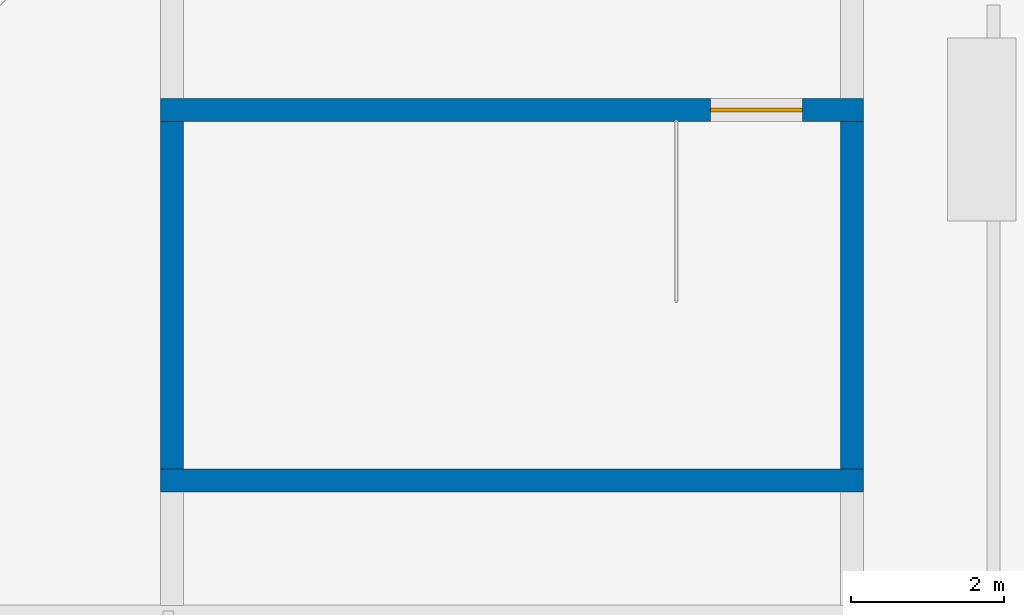
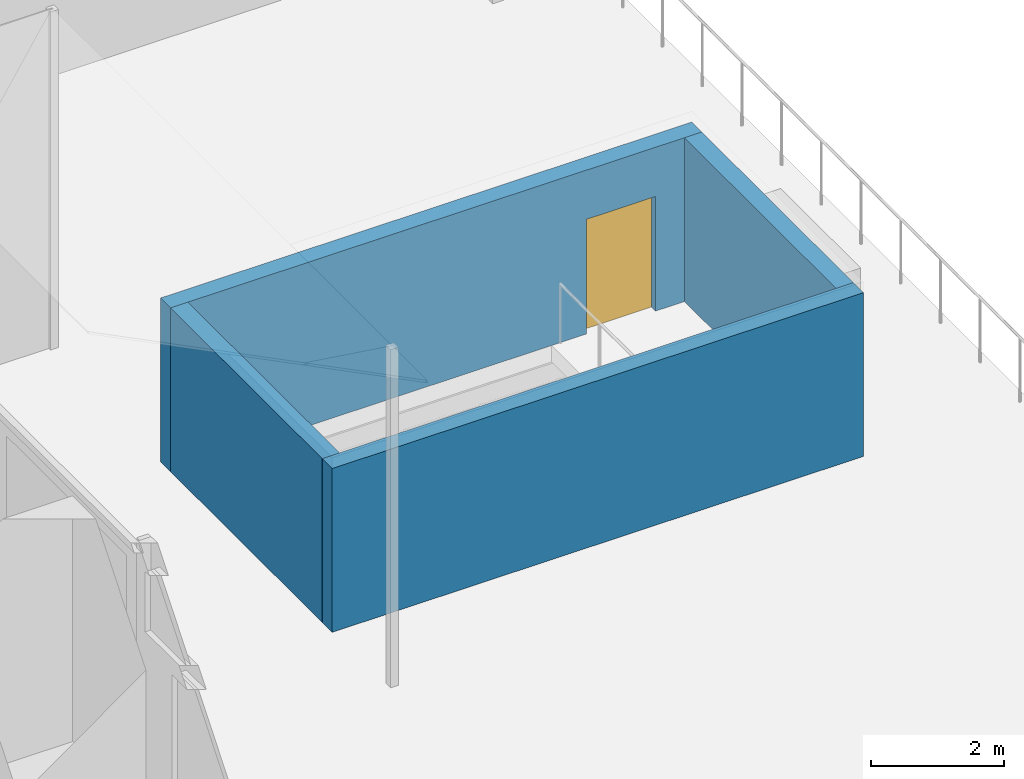
# One storey, part 29 of 60: 4 walls, 1 door, 1 opening.
"""IFC4 building model written with IfcOpenShell, lengths in metres."""

from ifc_helpers import new_model, si_unit, direction, frame, frame_2d, origin, place, context, subcontext, project, spatial, rectangle, extrude, material, layer, layer_set, type_object, element, fill, save


model = new_model("IFC4")

# Units and contexts
model_context = context("Model", 3, precision=1e-05, world=origin(), true_north=direction((0.0, 1.0)))
body_context = subcontext(model_context, "Body", "Model", "MODEL_VIEW")
ifc_project = project(units=[si_unit("LENGTHUNIT", "METRE"), si_unit("AREAUNIT", "SQUARE_METRE"), si_unit("VOLUMEUNIT", "CUBIC_METRE"), si_unit("PLANEANGLEUNIT", "RADIAN"), si_unit("MASSUNIT", "GRAM", prefix="KILO")], contexts=[model_context])

# Site, building, storey
site_placement = place(None, origin())
site = spatial("IfcSite", under=ifc_project, at=site_placement, CompositionType="ELEMENT")
building_placement = place(site_placement, origin())
building = spatial("IfcBuilding", under=site, at=building_placement, Name="Saffron Gate Tower", CompositionType="ELEMENT")
storey_placement = place(building_placement, frame((0.0, 0.0, 19.199951171875)))
storey = spatial("IfcBuildingStorey", under=building, at=storey_placement, Name="L03", CompositionType="ELEMENT", Elevation=19.199951171875)

# Walls
ifc_material_1 = material(Name="Concrete C70", Category="concrete")
ifc_layer = layer(ifc_material_1, 0.300048828125)
ifc_layer_set = layer_set([ifc_layer], Name="CW5 RC core wall 300 C70")
wall_type = type_object("IfcWallType", Name="CW5 RC core wall 300 C70", PredefinedType="SOLIDWALL", material=ifc_layer_set)
wall_1_placement = place(storey_placement, frame((131.300048828125, 67.175048828125, 0.0), z_axis=(0.0, 0.0, 1.0), x_axis=(1.0, 0.0, 0.0)))
element("IfcWall", 1, at=wall_1_placement, inside=storey, type_object=wall_type, Name="Wall CW5-L03-J-1", PredefinedType="SOLIDWALL", context=body_context, shape_type="SweptSolid", body=[
    extrude(rectangle(XDim=9.199951171875, YDim=0.300048828125, at=frame_2d((4.60009765625, 0.0))), origin(), (0.0, 0.0, 1.0), 3.0),
])
for number, where, z_axis, x_axis, name in (
    (2, (131.449951171875, 67.324951171875, 0.0), (0.0, 0.0, 1.0), (0.0, 1.0, 0.0), "Wall CW5-L03-J-2"),
    (3, (140.35009765625, 67.324951171875, 0.0), (0.0, 0.0, 1.0), (0.0, 1.0, 0.0), "Wall CW5-L03-J-3"),
):
    element("IfcWall", number, at=place(storey_placement, frame(where, z_axis=z_axis, x_axis=x_axis)), inside=storey, type_object=wall_type, Name=name, PredefinedType="SOLIDWALL", context=body_context, shape_type="SweptSolid", body=[
        extrude(rectangle(XDim=4.550048828125, YDim=0.300048828125, at=frame_2d((2.27490234375, 0.0))), origin(), (0.0, 0.0, 1.0), 3.0),
    ])

# Wall, opening, door
wall_2_placement = place(storey_placement, frame((131.300048828125, 72.02490234375, 0.0), z_axis=(0.0, 0.0, 1.0), x_axis=(1.0, 0.0, 0.0)))
wall_2 = element("IfcWall", 4, at=wall_2_placement, inside=storey, type_object=wall_type, Name="Wall CW5-L03-J-4", PredefinedType="SOLIDWALL", context=body_context, shape_type="SweptSolid", body=[
    extrude(rectangle(XDim=9.199951171875, YDim=0.300048828125, at=frame_2d((4.60009765625, 0.0))), origin(), (0.0, 0.0, 1.0), 3.0),
])
opening_placement = place(wall_2_placement, frame((7.199951171875, 0.0, 0.0)))
opening = element("IfcOpeningElement", 5, at=opening_placement, cuts=wall_2, Name="Opening CR-37", PredefinedType="OPENING", context=body_context, shape_type="SweptSolid", body=[
    extrude(rectangle(XDim=1.199951171875, YDim=2.10009765625, at=frame_2d((0.60009765625, 1.050048828125))), frame((0.0, 0.16015625, 0.0), z_axis=(0.0, -1.0, 0.0), x_axis=(1.0, 0.0, 0.0)), (0.0, 0.0, 1.0), 0.320068359375),
])
ifc_material_2 = material(Name="Steel fire door set", Category="steel")
door_type = type_object("IfcDoorType", Name="CD12 Stair door 1200x2100 EI 120", OperationType="NOTDEFINED", PredefinedType="DOOR", material=ifc_material_2)
door_placement = place(opening_placement, origin())
door = element("IfcDoor", 6, at=door_placement, inside=storey, type_object=door_type, Name="DOOR CR-37", OperationType="SINGLE_SWING_LEFT", OverallHeight=2.10009765625, OverallWidth=1.199951171875, PredefinedType="DOOR", context=body_context, shape_type="SweptSolid", body=[
    extrude(rectangle(XDim=1.199951171875, YDim=2.10009765625, at=frame_2d((0.60009765625, 1.050048828125))), frame((0.0, 0.02490234375, 0.0), z_axis=(0.0, -1.0, 0.0), x_axis=(1.0, 0.0, 0.0)), (0.0, 0.0, 1.0), 0.050048828125),
])
fill(opening, door)

save(model, "model.ifc")
